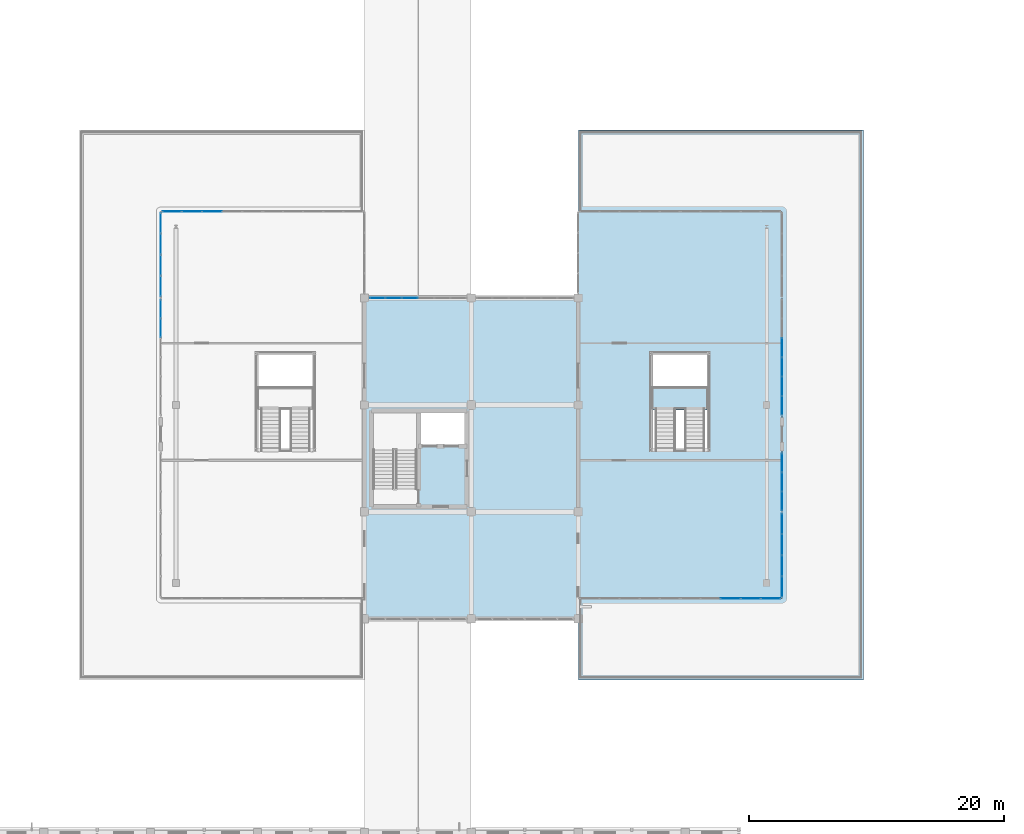
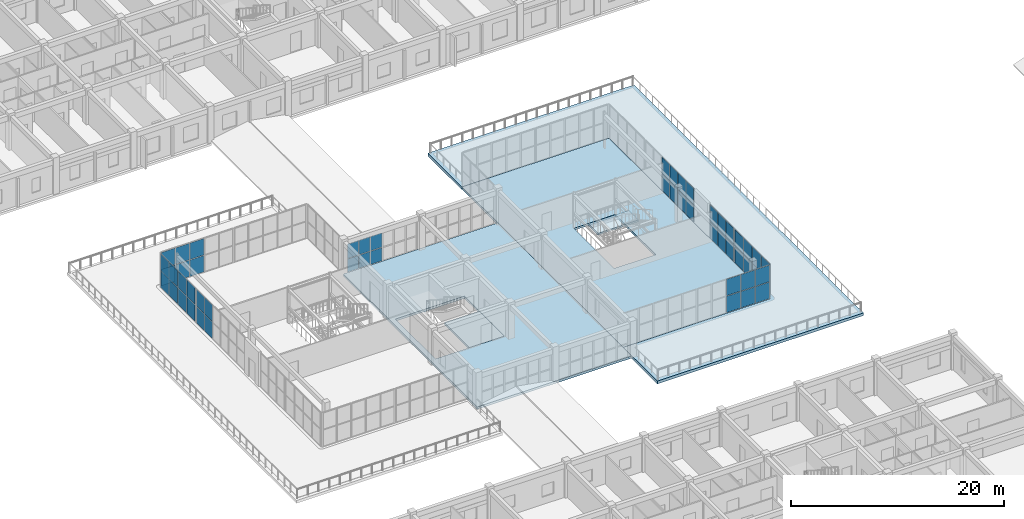
# One storey, part 55 of 90: 52 plates, 5 slabs, 9 elements without a shape of their own.
"""IFC4 building model written with IfcOpenShell, lengths in metres."""

from ifc_helpers import new_model, si_unit, direction, frame, origin, origin_2d, place, context, subcontext, project, spatial, polyline, rectangle, outline, extrude, material, layer, layer_set, type_object, element, aggregate, save


model = new_model("IFC4")

# Units and contexts
model_context = context("Model", 3, precision=1e-05, world=origin(), true_north=direction((0.0, 1.0)))
body_context = subcontext(model_context, "Body", "Model", "MODEL_VIEW")
ifc_project = project(units=[si_unit("LENGTHUNIT", "METRE"), si_unit("AREAUNIT", "SQUARE_METRE"), si_unit("VOLUMEUNIT", "CUBIC_METRE"), si_unit("PLANEANGLEUNIT", "RADIAN"), si_unit("MASSUNIT", "GRAM", prefix="KILO")], contexts=[model_context])

# Site, building, storey
site_placement = place(None, origin())
site = spatial("IfcSite", under=ifc_project, at=site_placement, CompositionType="ELEMENT")
building_placement = place(site_placement, origin())
building = spatial("IfcBuilding", under=site, at=building_placement, Name="Trelvath General Hospital", CompositionType="ELEMENT")
storey_placement = place(building_placement, frame((0.0, 0.0, 20.39990234375)))
storey = spatial("IfcBuildingStorey", under=building, at=storey_placement, Name="L05", CompositionType="ELEMENT", Elevation=20.39990234375)

# Curtain wall, plates
ifc_material_1 = material(Name="Anodised aluminium and low-E glass", Category="aluminium")
ifc_layer_1 = layer(ifc_material_1, 0.14990234375)
ifc_layer_set_1 = layer_set([ifc_layer_1], Name="Anodised aluminium and low-E glass")
curtain_wall_type_1 = type_object("IfcCurtainWallType", Name="CW CrystalCube 790 396 15", PredefinedType="USERDEFINED", material=ifc_layer_set_1)
curtain_wall_1_placement = place(storey_placement, origin())
curtain_wall_1 = element("IfcCurtainWall", 1, at=curtain_wall_1_placement, inside=storey, type_object=curtain_wall_type_1, Name="Crystal Cube Curtain Wall CUBE-W-T2 N1 L05", ObjectType="Unitised Glazed Curtain Wall", PredefinedType="USERDEFINED")
ifc_material_2 = material(Name="Low-E laminated glass", Category="glass")
ifc_layer_2 = layer(ifc_material_2, 0.028076171875)
ifc_layer_set_2 = layer_set([ifc_layer_2], Name="Low-E laminated glass")
plate_type_1 = type_object("IfcPlateType", Name="CurtainPanel Glass28", PredefinedType="CURTAIN_PANEL", material=ifc_layer_set_2)
plate_1_placement = place(storey_placement, frame((60.485107421875, 74.0, 0.06005859375), z_axis=(0.0, 0.0, 1.0), x_axis=(1.0, 0.0, 0.0)))
plate_1 = element("IfcPlate", 2, at=plate_1_placement, type_object=plate_type_1, Name="CW-308 panel 1.1", PredefinedType="CURTAIN_PANEL", context=body_context, shape_type="SweptSolid", body=[
    extrude(rectangle(XDim=1.489990234375, YDim=0.028076171875, at=origin_2d()), origin(), (0.0, 0.0, 1.0), 1.889892578125),
])
plate_2_placement = place(storey_placement, frame((60.485107421875, 74.0, 2.01025390625), z_axis=(0.0, 0.0, 1.0), x_axis=(1.0, 0.0, 0.0)))
plate_2 = element("IfcPlate", 3, at=plate_2_placement, type_object=plate_type_1, Name="CW-308 panel 1.2", PredefinedType="CURTAIN_PANEL", context=body_context, shape_type="SweptSolid", body=[
    extrude(rectangle(XDim=1.489990234375, YDim=0.028076171875, at=origin_2d()), origin(), (0.0, 0.0, 1.0), 1.889892578125),
])
plate_3_placement = place(storey_placement, frame((62.050048828125, 74.0, 0.06005859375), z_axis=(0.0, 0.0, 1.0), x_axis=(1.0, 0.0, 0.0)))
plate_3 = element("IfcPlate", 4, at=plate_3_placement, type_object=plate_type_1, Name="CW-308 panel 2.1", PredefinedType="CURTAIN_PANEL", context=body_context, shape_type="SweptSolid", body=[
    extrude(rectangle(XDim=1.52001953125, YDim=0.028076171875, at=origin_2d()), origin(), (0.0, 0.0, 1.0), 1.889892578125),
])
plate_4_placement = place(storey_placement, frame((62.050048828125, 74.0, 2.01025390625), z_axis=(0.0, 0.0, 1.0), x_axis=(1.0, 0.0, 0.0)))
plate_4 = element("IfcPlate", 5, at=plate_4_placement, type_object=plate_type_1, Name="CW-308 panel 2.2", PredefinedType="CURTAIN_PANEL", context=body_context, shape_type="SweptSolid", body=[
    extrude(rectangle(XDim=1.52001953125, YDim=0.028076171875, at=origin_2d()), origin(), (0.0, 0.0, 1.0), 1.889892578125),
])
plate_5_placement = place(storey_placement, frame((63.6298828125, 74.0, 0.06005859375), z_axis=(0.0, 0.0, 1.0), x_axis=(1.0, 0.0, 0.0)))
plate_5 = element("IfcPlate", 6, at=plate_5_placement, type_object=plate_type_1, Name="CW-308 panel 3.1", PredefinedType="CURTAIN_PANEL", context=body_context, shape_type="SweptSolid", body=[
    extrude(rectangle(XDim=1.52001953125, YDim=0.028076171875, at=origin_2d()), origin(), (0.0, 0.0, 1.0), 1.889892578125),
])
plate_6_placement = place(storey_placement, frame((63.6298828125, 74.0, 2.01025390625), z_axis=(0.0, 0.0, 1.0), x_axis=(1.0, 0.0, 0.0)))
plate_6 = element("IfcPlate", 7, at=plate_6_placement, type_object=plate_type_1, Name="CW-308 panel 3.2", PredefinedType="CURTAIN_PANEL", context=body_context, shape_type="SweptSolid", body=[
    extrude(rectangle(XDim=1.52001953125, YDim=0.028076171875, at=origin_2d()), origin(), (0.0, 0.0, 1.0), 1.889892578125),
])
aggregate(curtain_wall_1, [plate_1, plate_2, plate_3, plate_4, plate_5, plate_6])

ifc_material_3 = material(Name="Anodised aluminium and low-E glass", Category="aluminium")
ifc_layer_3 = layer(ifc_material_3, 0.14990234375)
ifc_layer_set_3 = layer_set([ifc_layer_3], Name="Anodised aluminium and low-E glass")
curtain_wall_type_2 = type_object("IfcCurtainWallType", Name="CW CrystalCube 914 396 15", PredefinedType="USERDEFINED", material=ifc_layer_set_3)
curtain_wall_2_placement = place(storey_placement, origin())
curtain_wall_2 = element("IfcCurtainWall", 8, at=curtain_wall_2_placement, inside=storey, type_object=curtain_wall_type_2, Name="Crystal Cube Curtain Wall CUBE-W-T2 W4 L05", ObjectType="Unitised Glazed Curtain Wall", PredefinedType="USERDEFINED")
plate_7_placement = place(storey_placement, frame((59.60009765625, 64.8349609375, 0.06005859375), z_axis=(0.0, 0.0, 1.0), x_axis=(0.0, 1.0, 0.0)))
plate_7 = element("IfcPlate", 9, at=plate_7_placement, type_object=plate_type_1, Name="CW-312 panel 5.1", PredefinedType="CURTAIN_PANEL", context=body_context, shape_type="SweptSolid", body=[
    extrude(rectangle(XDim=1.46337890625, YDim=0.028076171875, at=origin_2d()), origin(), (0.0, 0.0, 1.0), 1.889892578125),
])
plate_8_placement = place(storey_placement, frame((59.60009765625, 64.8349609375, 2.01025390625), z_axis=(0.0, 0.0, 1.0), x_axis=(0.0, 1.0, 0.0)))
plate_8 = element("IfcPlate", 10, at=plate_8_placement, type_object=plate_type_1, Name="CW-312 panel 5.2", PredefinedType="CURTAIN_PANEL", context=body_context, shape_type="SweptSolid", body=[
    extrude(rectangle(XDim=1.46337890625, YDim=0.028076171875, at=origin_2d()), origin(), (0.0, 0.0, 1.0), 1.889892578125),
])
plate_9_placement = place(storey_placement, frame((59.60009765625, 66.34326171875, 0.06005859375), z_axis=(0.0, 0.0, 1.0), x_axis=(0.0, 1.0, 0.0)))
plate_9 = element("IfcPlate", 11, at=plate_9_placement, type_object=plate_type_1, Name="CW-312 panel 6.1", PredefinedType="CURTAIN_PANEL", context=body_context, shape_type="SweptSolid", body=[
    extrude(rectangle(XDim=1.433349609375, YDim=0.028076171875, at=origin_2d()), origin(), (0.0, 0.0, 1.0), 1.889892578125),
])
plate_10_placement = place(storey_placement, frame((59.60009765625, 66.34326171875, 2.01025390625), z_axis=(0.0, 0.0, 1.0), x_axis=(0.0, 1.0, 0.0)))
plate_10 = element("IfcPlate", 12, at=plate_10_placement, type_object=plate_type_1, Name="CW-312 panel 6.2", PredefinedType="CURTAIN_PANEL", context=body_context, shape_type="SweptSolid", body=[
    extrude(rectangle(XDim=1.433349609375, YDim=0.028076171875, at=origin_2d()), origin(), (0.0, 0.0, 1.0), 1.889892578125),
])
aggregate(curtain_wall_2, [plate_7, plate_8, plate_9, plate_10])

ifc_material_4 = material(Name="Anodised aluminium and low-E glass", Category="aluminium")
ifc_layer_4 = layer(ifc_material_4, 0.14990234375)
ifc_layer_set_4 = layer_set([ifc_layer_4], Name="Anodised aluminium and low-E glass")
curtain_wall_type_3 = type_object("IfcCurtainWallType", Name="CW CrystalCube 664 396 15", PredefinedType="USERDEFINED", material=ifc_layer_set_4)
curtain_wall_3_placement = place(storey_placement, origin())
curtain_wall_3 = element("IfcCurtainWall", 13, at=curtain_wall_3_placement, inside=storey, type_object=curtain_wall_type_3, Name="Crystal Cube Curtain Wall CUBE-W-T2 W5 L05", ObjectType="Unitised Glazed Curtain Wall", PredefinedType="USERDEFINED")
plate_11_placement = place(storey_placement, frame((59.60009765625, 68.125, 0.06005859375), z_axis=(0.0, 0.0, 1.0), x_axis=(0.0, 1.0, 0.0)))
plate_11 = element("IfcPlate", 14, at=plate_11_placement, type_object=plate_type_1, Name="CW-313 panel 1.1", PredefinedType="CURTAIN_PANEL", context=body_context, shape_type="SweptSolid", body=[
    extrude(rectangle(XDim=1.570068359375, YDim=0.028076171875, at=origin_2d()), origin(), (0.0, 0.0, 1.0), 1.889892578125),
])
plate_12_placement = place(storey_placement, frame((59.60009765625, 68.125, 2.01025390625), z_axis=(0.0, 0.0, 1.0), x_axis=(0.0, 1.0, 0.0)))
plate_12 = element("IfcPlate", 15, at=plate_12_placement, type_object=plate_type_1, Name="CW-313 panel 1.2", PredefinedType="CURTAIN_PANEL", context=body_context, shape_type="SweptSolid", body=[
    extrude(rectangle(XDim=1.570068359375, YDim=0.028076171875, at=origin_2d()), origin(), (0.0, 0.0, 1.0), 1.889892578125),
])
plate_13_placement = place(storey_placement, frame((59.60009765625, 69.77001953125, 0.06005859375), z_axis=(0.0, 0.0, 1.0), x_axis=(0.0, 1.0, 0.0)))
plate_13 = element("IfcPlate", 16, at=plate_13_placement, type_object=plate_type_1, Name="CW-313 panel 2.1", PredefinedType="CURTAIN_PANEL", context=body_context, shape_type="SweptSolid", body=[
    extrude(rectangle(XDim=1.60009765625, YDim=0.028076171875, at=origin_2d()), origin(), (0.0, 0.0, 1.0), 1.889892578125),
])
plate_14_placement = place(storey_placement, frame((59.60009765625, 69.77001953125, 2.01025390625), z_axis=(0.0, 0.0, 1.0), x_axis=(0.0, 1.0, 0.0)))
plate_14 = element("IfcPlate", 17, at=plate_14_placement, type_object=plate_type_1, Name="CW-313 panel 2.2", PredefinedType="CURTAIN_PANEL", context=body_context, shape_type="SweptSolid", body=[
    extrude(rectangle(XDim=1.60009765625, YDim=0.028076171875, at=origin_2d()), origin(), (0.0, 0.0, 1.0), 1.889892578125),
])
plate_15_placement = place(storey_placement, frame((59.60009765625, 71.429931640625, 0.06005859375), z_axis=(0.0, 0.0, 1.0), x_axis=(0.0, 1.0, 0.0)))
plate_15 = element("IfcPlate", 18, at=plate_15_placement, type_object=plate_type_1, Name="CW-313 panel 3.1", PredefinedType="CURTAIN_PANEL", context=body_context, shape_type="SweptSolid", body=[
    extrude(rectangle(XDim=1.60009765625, YDim=0.028076171875, at=origin_2d()), origin(), (0.0, 0.0, 1.0), 1.889892578125),
])
plate_16_placement = place(storey_placement, frame((59.60009765625, 71.429931640625, 2.01025390625), z_axis=(0.0, 0.0, 1.0), x_axis=(0.0, 1.0, 0.0)))
plate_16 = element("IfcPlate", 19, at=plate_16_placement, type_object=plate_type_1, Name="CW-313 panel 3.2", PredefinedType="CURTAIN_PANEL", context=body_context, shape_type="SweptSolid", body=[
    extrude(rectangle(XDim=1.60009765625, YDim=0.028076171875, at=origin_2d()), origin(), (0.0, 0.0, 1.0), 1.889892578125),
])
plate_17_placement = place(storey_placement, frame((59.60009765625, 73.074951171875, 0.06005859375), z_axis=(0.0, 0.0, 1.0), x_axis=(0.0, 1.0, 0.0)))
plate_17 = element("IfcPlate", 20, at=plate_17_placement, type_object=plate_type_1, Name="CW-313 panel 4.1", PredefinedType="CURTAIN_PANEL", context=body_context, shape_type="SweptSolid", body=[
    extrude(rectangle(XDim=1.570068359375, YDim=0.028076171875, at=origin_2d()), origin(), (0.0, 0.0, 1.0), 1.889892578125),
])
plate_18_placement = place(storey_placement, frame((59.60009765625, 73.074951171875, 2.01025390625), z_axis=(0.0, 0.0, 1.0), x_axis=(0.0, 1.0, 0.0)))
plate_18 = element("IfcPlate", 21, at=plate_18_placement, type_object=plate_type_1, Name="CW-313 panel 4.2", PredefinedType="CURTAIN_PANEL", context=body_context, shape_type="SweptSolid", body=[
    extrude(rectangle(XDim=1.570068359375, YDim=0.028076171875, at=origin_2d()), origin(), (0.0, 0.0, 1.0), 1.889892578125),
])
aggregate(curtain_wall_3, [plate_11, plate_12, plate_13, plate_14, plate_15, plate_16, plate_17, plate_18])

curtain_wall_4_placement = place(storey_placement, origin())
curtain_wall_4 = element("IfcCurtainWall", 22, at=curtain_wall_4_placement, inside=storey, type_object=curtain_wall_type_1, Name="Crystal Cube Curtain Wall CUBE-E-T2 S2 L05", ObjectType="Unitised Glazed Curtain Wall", PredefinedType="USERDEFINED")
plate_19_placement = place(storey_placement, frame((107.514892578125, 43.60009765625, 0.06005859375), z_axis=(0.0, 0.0, 1.0), x_axis=(-1.0, 0.0, 0.0)))
plate_19 = element("IfcPlate", 23, at=plate_19_placement, type_object=plate_type_1, Name="CW-316 panel 1.1", PredefinedType="CURTAIN_PANEL", context=body_context, shape_type="SweptSolid", body=[
    extrude(rectangle(XDim=1.489990234375, YDim=0.028076171875, at=origin_2d()), origin(), (0.0, 0.0, 1.0), 1.889892578125),
])
plate_20_placement = place(storey_placement, frame((107.514892578125, 43.60009765625, 2.01025390625), z_axis=(0.0, 0.0, 1.0), x_axis=(-1.0, 0.0, 0.0)))
plate_20 = element("IfcPlate", 24, at=plate_20_placement, type_object=plate_type_1, Name="CW-316 panel 1.2", PredefinedType="CURTAIN_PANEL", context=body_context, shape_type="SweptSolid", body=[
    extrude(rectangle(XDim=1.489990234375, YDim=0.028076171875, at=origin_2d()), origin(), (0.0, 0.0, 1.0), 1.889892578125),
])
plate_21_placement = place(storey_placement, frame((105.949951171875, 43.60009765625, 0.06005859375), z_axis=(0.0, 0.0, 1.0), x_axis=(-1.0, 0.0, 0.0)))
plate_21 = element("IfcPlate", 25, at=plate_21_placement, type_object=plate_type_1, Name="CW-316 panel 2.1", PredefinedType="CURTAIN_PANEL", context=body_context, shape_type="SweptSolid", body=[
    extrude(rectangle(XDim=1.52001953125, YDim=0.028076171875, at=origin_2d()), origin(), (0.0, 0.0, 1.0), 1.889892578125),
])
plate_22_placement = place(storey_placement, frame((105.949951171875, 43.60009765625, 2.01025390625), z_axis=(0.0, 0.0, 1.0), x_axis=(-1.0, 0.0, 0.0)))
plate_22 = element("IfcPlate", 26, at=plate_22_placement, type_object=plate_type_1, Name="CW-316 panel 2.2", PredefinedType="CURTAIN_PANEL", context=body_context, shape_type="SweptSolid", body=[
    extrude(rectangle(XDim=1.52001953125, YDim=0.028076171875, at=origin_2d()), origin(), (0.0, 0.0, 1.0), 1.889892578125),
])
plate_23_placement = place(storey_placement, frame((104.3701171875, 43.60009765625, 0.06005859375), z_axis=(0.0, 0.0, 1.0), x_axis=(-1.0, 0.0, 0.0)))
plate_23 = element("IfcPlate", 27, at=plate_23_placement, type_object=plate_type_1, Name="CW-316 panel 3.1", PredefinedType="CURTAIN_PANEL", context=body_context, shape_type="SweptSolid", body=[
    extrude(rectangle(XDim=1.52001953125, YDim=0.028076171875, at=origin_2d()), origin(), (0.0, 0.0, 1.0), 1.889892578125),
])
plate_24_placement = place(storey_placement, frame((104.3701171875, 43.60009765625, 2.01025390625), z_axis=(0.0, 0.0, 1.0), x_axis=(-1.0, 0.0, 0.0)))
plate_24 = element("IfcPlate", 28, at=plate_24_placement, type_object=plate_type_1, Name="CW-316 panel 3.2", PredefinedType="CURTAIN_PANEL", context=body_context, shape_type="SweptSolid", body=[
    extrude(rectangle(XDim=1.52001953125, YDim=0.028076171875, at=origin_2d()), origin(), (0.0, 0.0, 1.0), 1.889892578125),
])
aggregate(curtain_wall_4, [plate_19, plate_20, plate_21, plate_22, plate_23, plate_24])

curtain_wall_5_placement = place(storey_placement, origin())
curtain_wall_5 = element("IfcCurtainWall", 29, at=curtain_wall_5_placement, inside=storey, type_object=curtain_wall_type_3, Name="Crystal Cube Curtain Wall CUBE-E-T2 E1 L05", ObjectType="Unitised Glazed Curtain Wall", PredefinedType="USERDEFINED")
plate_25_placement = place(storey_placement, frame((108.39990234375, 49.47509765625, 0.06005859375), z_axis=(0.0, 0.0, 1.0), x_axis=(0.0, -1.0, 0.0)))
plate_25 = element("IfcPlate", 30, at=plate_25_placement, type_object=plate_type_1, Name="CW-319 panel 1.1", PredefinedType="CURTAIN_PANEL", context=body_context, shape_type="SweptSolid", body=[
    extrude(rectangle(XDim=1.570068359375, YDim=0.028076171875, at=origin_2d()), origin(), (0.0, 0.0, 1.0), 1.889892578125),
])
plate_26_placement = place(storey_placement, frame((108.39990234375, 49.47509765625, 2.01025390625), z_axis=(0.0, 0.0, 1.0), x_axis=(0.0, -1.0, 0.0)))
plate_26 = element("IfcPlate", 31, at=plate_26_placement, type_object=plate_type_1, Name="CW-319 panel 1.2", PredefinedType="CURTAIN_PANEL", context=body_context, shape_type="SweptSolid", body=[
    extrude(rectangle(XDim=1.570068359375, YDim=0.028076171875, at=origin_2d()), origin(), (0.0, 0.0, 1.0), 1.889892578125),
])
plate_27_placement = place(storey_placement, frame((108.39990234375, 47.830078125, 0.06005859375), z_axis=(0.0, 0.0, 1.0), x_axis=(0.0, -1.0, 0.0)))
plate_27 = element("IfcPlate", 32, at=plate_27_placement, type_object=plate_type_1, Name="CW-319 panel 2.1", PredefinedType="CURTAIN_PANEL", context=body_context, shape_type="SweptSolid", body=[
    extrude(rectangle(XDim=1.60009765625, YDim=0.028076171875, at=origin_2d()), origin(), (0.0, 0.0, 1.0), 1.889892578125),
])
plate_28_placement = place(storey_placement, frame((108.39990234375, 47.830078125, 2.01025390625), z_axis=(0.0, 0.0, 1.0), x_axis=(0.0, -1.0, 0.0)))
plate_28 = element("IfcPlate", 33, at=plate_28_placement, type_object=plate_type_1, Name="CW-319 panel 2.2", PredefinedType="CURTAIN_PANEL", context=body_context, shape_type="SweptSolid", body=[
    extrude(rectangle(XDim=1.60009765625, YDim=0.028076171875, at=origin_2d()), origin(), (0.0, 0.0, 1.0), 1.889892578125),
])
plate_29_placement = place(storey_placement, frame((108.39990234375, 46.169921875, 0.06005859375), z_axis=(0.0, 0.0, 1.0), x_axis=(0.0, -1.0, 0.0)))
plate_29 = element("IfcPlate", 34, at=plate_29_placement, type_object=plate_type_1, Name="CW-319 panel 3.1", PredefinedType="CURTAIN_PANEL", context=body_context, shape_type="SweptSolid", body=[
    extrude(rectangle(XDim=1.60009765625, YDim=0.028076171875, at=origin_2d()), origin(), (0.0, 0.0, 1.0), 1.889892578125),
])
plate_30_placement = place(storey_placement, frame((108.39990234375, 46.169921875, 2.01025390625), z_axis=(0.0, 0.0, 1.0), x_axis=(0.0, -1.0, 0.0)))
plate_30 = element("IfcPlate", 35, at=plate_30_placement, type_object=plate_type_1, Name="CW-319 panel 3.2", PredefinedType="CURTAIN_PANEL", context=body_context, shape_type="SweptSolid", body=[
    extrude(rectangle(XDim=1.60009765625, YDim=0.028076171875, at=origin_2d()), origin(), (0.0, 0.0, 1.0), 1.889892578125),
])
plate_31_placement = place(storey_placement, frame((108.39990234375, 44.52490234375, 0.06005859375), z_axis=(0.0, 0.0, 1.0), x_axis=(0.0, -1.0, 0.0)))
plate_31 = element("IfcPlate", 36, at=plate_31_placement, type_object=plate_type_1, Name="CW-319 panel 4.1", PredefinedType="CURTAIN_PANEL", context=body_context, shape_type="SweptSolid", body=[
    extrude(rectangle(XDim=1.570068359375, YDim=0.028076171875, at=origin_2d()), origin(), (0.0, 0.0, 1.0), 1.889892578125),
])
plate_32_placement = place(storey_placement, frame((108.39990234375, 44.52490234375, 2.01025390625), z_axis=(0.0, 0.0, 1.0), x_axis=(0.0, -1.0, 0.0)))
plate_32 = element("IfcPlate", 37, at=plate_32_placement, type_object=plate_type_1, Name="CW-319 panel 4.2", PredefinedType="CURTAIN_PANEL", context=body_context, shape_type="SweptSolid", body=[
    extrude(rectangle(XDim=1.570068359375, YDim=0.028076171875, at=origin_2d()), origin(), (0.0, 0.0, 1.0), 1.889892578125),
])
aggregate(curtain_wall_5, [plate_25, plate_26, plate_27, plate_28, plate_29, plate_30, plate_31, plate_32])

ifc_material_5 = material(Name="Anodised aluminium and low-E glass", Category="aluminium")
ifc_layer_5 = layer(ifc_material_5, 0.14990234375)
ifc_layer_set_5 = layer_set([ifc_layer_5], Name="Anodised aluminium and low-E glass")
curtain_wall_type_4 = type_object("IfcCurtainWallType", Name="CW CrystalCube 454 396 15", PredefinedType="USERDEFINED", material=ifc_layer_set_5)
curtain_wall_6_placement = place(storey_placement, origin())
curtain_wall_6 = element("IfcCurtainWall", 38, at=curtain_wall_6_placement, inside=storey, type_object=curtain_wall_type_4, Name="Crystal Cube Curtain Wall CUBE-E-T2 E2 L05", ObjectType="Unitised Glazed Curtain Wall", PredefinedType="USERDEFINED")
plate_33_placement = place(storey_placement, frame((108.39990234375, 54.248291015625, 0.06005859375), z_axis=(0.0, 0.0, 1.0), x_axis=(0.0, -1.0, 0.0)))
plate_33 = element("IfcPlate", 39, at=plate_33_placement, type_object=plate_type_1, Name="CW-320 panel 1.1", PredefinedType="CURTAIN_PANEL", context=body_context, shape_type="SweptSolid", body=[
    extrude(rectangle(XDim=1.42333984375, YDim=0.028076171875, at=origin_2d()), origin(), (0.0, 0.0, 1.0), 1.889892578125),
])
plate_34_placement = place(storey_placement, frame((108.39990234375, 54.248291015625, 2.01025390625), z_axis=(0.0, 0.0, 1.0), x_axis=(0.0, -1.0, 0.0)))
plate_34 = element("IfcPlate", 40, at=plate_34_placement, type_object=plate_type_1, Name="CW-320 panel 1.2", PredefinedType="CURTAIN_PANEL", context=body_context, shape_type="SweptSolid", body=[
    extrude(rectangle(XDim=1.42333984375, YDim=0.028076171875, at=origin_2d()), origin(), (0.0, 0.0, 1.0), 1.889892578125),
])
plate_35_placement = place(storey_placement, frame((108.39990234375, 52.75, 0.06005859375), z_axis=(0.0, 0.0, 1.0), x_axis=(0.0, -1.0, 0.0)))
plate_35 = element("IfcPlate", 41, at=plate_35_placement, type_object=plate_type_1, Name="CW-320 panel 2.1", PredefinedType="CURTAIN_PANEL", context=body_context, shape_type="SweptSolid", body=[
    extrude(rectangle(XDim=1.453369140625, YDim=0.028076171875, at=origin_2d()), origin(), (0.0, 0.0, 1.0), 1.889892578125),
])
plate_36_placement = place(storey_placement, frame((108.39990234375, 52.75, 2.01025390625), z_axis=(0.0, 0.0, 1.0), x_axis=(0.0, -1.0, 0.0)))
plate_36 = element("IfcPlate", 42, at=plate_36_placement, type_object=plate_type_1, Name="CW-320 panel 2.2", PredefinedType="CURTAIN_PANEL", context=body_context, shape_type="SweptSolid", body=[
    extrude(rectangle(XDim=1.453369140625, YDim=0.028076171875, at=origin_2d()), origin(), (0.0, 0.0, 1.0), 1.889892578125),
])
plate_37_placement = place(storey_placement, frame((108.39990234375, 51.251708984375, 0.06005859375), z_axis=(0.0, 0.0, 1.0), x_axis=(0.0, -1.0, 0.0)))
plate_37 = element("IfcPlate", 43, at=plate_37_placement, type_object=plate_type_1, Name="CW-320 panel 3.1", PredefinedType="CURTAIN_PANEL", context=body_context, shape_type="SweptSolid", body=[
    extrude(rectangle(XDim=1.42333984375, YDim=0.028076171875, at=origin_2d()), origin(), (0.0, 0.0, 1.0), 1.889892578125),
])
plate_38_placement = place(storey_placement, frame((108.39990234375, 51.251708984375, 2.01025390625), z_axis=(0.0, 0.0, 1.0), x_axis=(0.0, -1.0, 0.0)))
plate_38 = element("IfcPlate", 44, at=plate_38_placement, type_object=plate_type_1, Name="CW-320 panel 3.2", PredefinedType="CURTAIN_PANEL", context=body_context, shape_type="SweptSolid", body=[
    extrude(rectangle(XDim=1.42333984375, YDim=0.028076171875, at=origin_2d()), origin(), (0.0, 0.0, 1.0), 1.889892578125),
])
aggregate(curtain_wall_6, [plate_33, plate_34, plate_35, plate_36, plate_37, plate_38])

curtain_wall_7_placement = place(storey_placement, origin())
curtain_wall_7 = element("IfcCurtainWall", 45, at=curtain_wall_7_placement, inside=storey, type_object=curtain_wall_type_2, Name="Crystal Cube Curtain Wall CUBE-E-T2 E4 L05", ObjectType="Unitised Glazed Curtain Wall", PredefinedType="USERDEFINED")
plate_39_placement = place(storey_placement, frame((108.39990234375, 63.311767578125, 0.06005859375), z_axis=(0.0, 0.0, 1.0), x_axis=(0.0, -1.0, 0.0)))
plate_39 = element("IfcPlate", 46, at=plate_39_placement, type_object=plate_type_1, Name="CW-321 panel 3.1", PredefinedType="CURTAIN_PANEL", context=body_context, shape_type="SweptSolid", body=[
    extrude(rectangle(XDim=1.46337890625, YDim=0.028076171875, at=origin_2d()), origin(), (0.0, 0.0, 1.0), 1.889892578125),
])
plate_40_placement = place(storey_placement, frame((108.39990234375, 63.311767578125, 2.01025390625), z_axis=(0.0, 0.0, 1.0), x_axis=(0.0, -1.0, 0.0)))
plate_40 = element("IfcPlate", 47, at=plate_40_placement, type_object=plate_type_1, Name="CW-321 panel 3.2", PredefinedType="CURTAIN_PANEL", context=body_context, shape_type="SweptSolid", body=[
    extrude(rectangle(XDim=1.46337890625, YDim=0.028076171875, at=origin_2d()), origin(), (0.0, 0.0, 1.0), 1.889892578125),
])
plate_41_placement = place(storey_placement, frame((108.39990234375, 61.788330078125, 0.06005859375), z_axis=(0.0, 0.0, 1.0), x_axis=(0.0, -1.0, 0.0)))
plate_41 = element("IfcPlate", 48, at=plate_41_placement, type_object=plate_type_1, Name="CW-321 panel 4.1", PredefinedType="CURTAIN_PANEL", context=body_context, shape_type="SweptSolid", body=[
    extrude(rectangle(XDim=1.46337890625, YDim=0.028076171875, at=origin_2d()), origin(), (0.0, 0.0, 1.0), 1.889892578125),
])
plate_42_placement = place(storey_placement, frame((108.39990234375, 61.788330078125, 2.01025390625), z_axis=(0.0, 0.0, 1.0), x_axis=(0.0, -1.0, 0.0)))
plate_42 = element("IfcPlate", 49, at=plate_42_placement, type_object=plate_type_1, Name="CW-321 panel 4.2", PredefinedType="CURTAIN_PANEL", context=body_context, shape_type="SweptSolid", body=[
    extrude(rectangle(XDim=1.46337890625, YDim=0.028076171875, at=origin_2d()), origin(), (0.0, 0.0, 1.0), 1.889892578125),
])
plate_43_placement = place(storey_placement, frame((108.39990234375, 60.264892578125, 0.06005859375), z_axis=(0.0, 0.0, 1.0), x_axis=(0.0, -1.0, 0.0)))
plate_43 = element("IfcPlate", 50, at=plate_43_placement, type_object=plate_type_1, Name="CW-321 panel 5.1", PredefinedType="CURTAIN_PANEL", context=body_context, shape_type="SweptSolid", body=[
    extrude(rectangle(XDim=1.46337890625, YDim=0.028076171875, at=origin_2d()), origin(), (0.0, 0.0, 1.0), 1.889892578125),
])
plate_44_placement = place(storey_placement, frame((108.39990234375, 60.264892578125, 2.01025390625), z_axis=(0.0, 0.0, 1.0), x_axis=(0.0, -1.0, 0.0)))
plate_44 = element("IfcPlate", 51, at=plate_44_placement, type_object=plate_type_1, Name="CW-321 panel 5.2", PredefinedType="CURTAIN_PANEL", context=body_context, shape_type="SweptSolid", body=[
    extrude(rectangle(XDim=1.46337890625, YDim=0.028076171875, at=origin_2d()), origin(), (0.0, 0.0, 1.0), 1.889892578125),
])
plate_45_placement = place(storey_placement, frame((108.39990234375, 58.756591796875, 0.06005859375), z_axis=(0.0, 0.0, 1.0), x_axis=(0.0, -1.0, 0.0)))
plate_45 = element("IfcPlate", 52, at=plate_45_placement, type_object=plate_type_1, Name="CW-321 panel 6.1", PredefinedType="CURTAIN_PANEL", context=body_context, shape_type="SweptSolid", body=[
    extrude(rectangle(XDim=1.433349609375, YDim=0.028076171875, at=origin_2d()), origin(), (0.0, 0.0, 1.0), 1.889892578125),
])
plate_46_placement = place(storey_placement, frame((108.39990234375, 58.756591796875, 2.01025390625), z_axis=(0.0, 0.0, 1.0), x_axis=(0.0, -1.0, 0.0)))
plate_46 = element("IfcPlate", 53, at=plate_46_placement, type_object=plate_type_1, Name="CW-321 panel 6.2", PredefinedType="CURTAIN_PANEL", context=body_context, shape_type="SweptSolid", body=[
    extrude(rectangle(XDim=1.433349609375, YDim=0.028076171875, at=origin_2d()), origin(), (0.0, 0.0, 1.0), 1.889892578125),
])
aggregate(curtain_wall_7, [plate_39, plate_40, plate_41, plate_42, plate_43, plate_44, plate_45, plate_46])

ifc_material_6 = material(Name="Anodised aluminium and low-E glass", Category="aluminium")
ifc_layer_6 = layer(ifc_material_6, 0.14990234375)
ifc_layer_set_6 = layer_set([ifc_layer_6], Name="Anodised aluminium and low-E glass")
curtain_wall_type_5 = type_object("IfcCurtainWallType", Name="CW Facade 764 334 15", PredefinedType="USERDEFINED", material=ifc_layer_set_6)
curtain_wall_8_placement = place(storey_placement, origin())
curtain_wall_8 = element("IfcCurtainWall", 54, at=curtain_wall_8_placement, inside=storey, type_object=curtain_wall_type_5, Name="Facade Curtain Wall CW-071", ObjectType="Unitised Glazed Curtain Wall", PredefinedType="USERDEFINED")
ifc_material_7 = material(Name="Low-E laminated glass", Category="glass")
ifc_layer_7 = layer(ifc_material_7, 0.035888671875)
ifc_layer_set_7 = layer_set([ifc_layer_7], Name="Low-E laminated glass")
plate_type_2 = type_object("IfcPlateType", Name="CurtainPanel Glass36", PredefinedType="CURTAIN_PANEL", material=ifc_layer_set_7)
plate_47_placement = place(storey_placement, frame((76.631591796875, 67.199951171875, 0.06005859375), z_axis=(0.0, 0.0, 1.0), x_axis=(1.0, 0.0, 0.0)))
plate_47 = element("IfcPlate", 55, at=plate_47_placement, type_object=plate_type_2, Name="CW-071 panel 1.1", PredefinedType="CURTAIN_PANEL", context=body_context, shape_type="SweptSolid", body=[
    extrude(rectangle(XDim=1.183349609375, YDim=0.035888671875, at=origin_2d()), origin(), (0.0, 0.0, 1.0), 1.512939453125),
])
plate_48_placement = place(storey_placement, frame((76.631591796875, 67.199951171875, 1.633056640625), z_axis=(0.0, 0.0, 1.0), x_axis=(1.0, 0.0, 0.0)))
plate_48 = element("IfcPlate", 56, at=plate_48_placement, type_object=plate_type_2, Name="CW-071 panel 1.2", PredefinedType="CURTAIN_PANEL", context=body_context, shape_type="SweptSolid", body=[
    extrude(rectangle(XDim=1.183349609375, YDim=0.035888671875, at=origin_2d()), origin(), (0.0, 0.0, 1.0), 1.64697265625),
])
plate_49_placement = place(storey_placement, frame((77.889892578125, 67.199951171875, 0.06005859375), z_axis=(0.0, 0.0, 1.0), x_axis=(1.0, 0.0, 0.0)))
plate_49 = element("IfcPlate", 57, at=plate_49_placement, type_object=plate_type_2, Name="CW-071 panel 2.1", PredefinedType="CURTAIN_PANEL", context=body_context, shape_type="SweptSolid", body=[
    extrude(rectangle(XDim=1.21337890625, YDim=0.035888671875, at=origin_2d()), origin(), (0.0, 0.0, 1.0), 1.512939453125),
])
plate_50_placement = place(storey_placement, frame((77.889892578125, 67.199951171875, 1.633056640625), z_axis=(0.0, 0.0, 1.0), x_axis=(1.0, 0.0, 0.0)))
plate_50 = element("IfcPlate", 58, at=plate_50_placement, type_object=plate_type_2, Name="CW-071 panel 2.2", PredefinedType="CURTAIN_PANEL", context=body_context, shape_type="SweptSolid", body=[
    extrude(rectangle(XDim=1.21337890625, YDim=0.035888671875, at=origin_2d()), origin(), (0.0, 0.0, 1.0), 1.64697265625),
])
plate_51_placement = place(storey_placement, frame((79.163330078125, 67.199951171875, 0.06005859375), z_axis=(0.0, 0.0, 1.0), x_axis=(1.0, 0.0, 0.0)))
plate_51 = element("IfcPlate", 59, at=plate_51_placement, type_object=plate_type_2, Name="CW-071 panel 3.1", PredefinedType="CURTAIN_PANEL", context=body_context, shape_type="SweptSolid", body=[
    extrude(rectangle(XDim=1.21337890625, YDim=0.035888671875, at=origin_2d()), origin(), (0.0, 0.0, 1.0), 1.512939453125),
])
plate_52_placement = place(storey_placement, frame((79.163330078125, 67.199951171875, 1.633056640625), z_axis=(0.0, 0.0, 1.0), x_axis=(1.0, 0.0, 0.0)))
plate_52 = element("IfcPlate", 60, at=plate_52_placement, type_object=plate_type_2, Name="CW-071 panel 3.2", PredefinedType="CURTAIN_PANEL", context=body_context, shape_type="SweptSolid", body=[
    extrude(rectangle(XDim=1.21337890625, YDim=0.035888671875, at=origin_2d()), origin(), (0.0, 0.0, 1.0), 1.64697265625),
])
aggregate(curtain_wall_8, [plate_47, plate_48, plate_49, plate_50, plate_51, plate_52])

# Slabs
ifc_material_8 = material(Name="Concrete C35/45", Category="concrete")
ifc_layer_8 = layer(ifc_material_8, 0.239990234375)
ifc_layer_set_8 = layer_set([ifc_layer_8], Name="Concrete C35/45")
slab_type_1 = type_object("IfcSlabType", Name="FlatSlab Cube240", PredefinedType="FLOOR", material=ifc_layer_set_8)
slab_1_placement = place(storey_placement, frame((0.0, 0.0, -0.239990234375)))
element("IfcSlab", 61, at=slab_1_placement, inside=storey, type_object=slab_type_1, Name="Crystal Cube Slab CUBE-E-T2 L05", PredefinedType="FLOOR", context=body_context, shape_type="SweptSolid", body=[
    extrude(outline(polyline([(92.39990234375, 43.60009765625), (108.39990234375, 43.60009765625), (108.39990234375, 74.0), (92.39990234375, 74.0), (92.39990234375, 43.60009765625)]), holes=[polyline([(98.14990234375, 55.25), (102.64990234375, 55.25), (102.64990234375, 62.85009765625), (98.14990234375, 62.85009765625), (98.14990234375, 55.25)])]), origin(), (0.0, 0.0, 1.0), 0.239990234375),
])
ifc_material_9 = material(Name="Concrete C35/45", Category="concrete")
ifc_layer_9 = layer(ifc_material_9, 0.260009765625)
ifc_layer_set_9 = layer_set([ifc_layer_9], Name="Concrete C35/45")
slab_type_2 = type_object("IfcSlabType", Name="FlatSlab Ward260", PredefinedType="FLOOR", material=ifc_layer_set_9)
slab_2_placement = place(storey_placement, frame((0.0, 0.0, -0.260009765625)))
element("IfcSlab", 62, at=slab_2_placement, inside=storey, type_object=slab_type_2, Name="Floor Slab SL-L05-V7-C1", PredefinedType="FLOOR", context=body_context, shape_type="SweptSolid", body=[
    extrude(outline(polyline([(75.60009765625, 42.0), (75.60009765625, 67.199951171875), (92.39990234375, 67.199951171875), (92.39990234375, 42.0), (75.60009765625, 42.0)]), holes=[polyline([(76.14990234375, 50.800048828125), (83.64990234375, 50.800048828125), (83.64990234375, 58.35009765625), (76.14990234375, 58.35009765625), (76.14990234375, 50.800048828125)])]), origin(), (0.0, 0.0, 1.0), 0.260009765625),
])
slab_3_placement = place(storey_placement, frame((0.0, 0.0, -0.260009765625)))
element("IfcSlab", 63, at=slab_3_placement, inside=storey, type_object=slab_type_2, Name="Core Lobby Slab C6 L05", PredefinedType="FLOOR", context=body_context, shape_type="SweptSolid", body=[
    extrude(outline(polyline([(79.85009765625, 50.800048828125), (83.64990234375, 50.800048828125), (83.64990234375, 55.550048828125), (79.85009765625, 55.550048828125), (79.85009765625, 50.800048828125)])), origin(), (0.0, 0.0, 1.0), 0.260009765625),
])
ifc_material_10 = material(Name="Concrete C35/45", Category="concrete")
ifc_layer_10 = layer(ifc_material_10, 0.320068359375)
ifc_layer_set_10 = layer_set([ifc_layer_10], Name="Concrete C35/45")
slab_type_3 = type_object("IfcSlabType", Name="PlantedTerraceSlab 320", PredefinedType="ROOF", material=ifc_layer_set_10)
slab_4_placement = place(storey_placement, frame((0.0, 0.0, -0.31982421875)))
element("IfcSlab", 64, at=slab_4_placement, inside=storey, type_object=slab_type_3, Name="Crystal Cube Planted Terrace TERR-CE-U5 L05", PredefinedType="ROOF", context=body_context, shape_type="SweptSolid", body=[
    extrude(outline(polyline([(92.39990234375, 37.199951171875), (114.800048828125, 37.199951171875), (114.800048828125, 80.39990234375), (92.39990234375, 80.39990234375), (92.39990234375, 74.0), (108.39990234375, 74.0), (108.39990234375, 43.60009765625), (92.39990234375, 43.60009765625), (92.39990234375, 37.199951171875)])), origin(), (0.0, 0.0, 1.0), 0.31982421875),
])

# Stair, slab
ifc_material_11 = material(Name="Concrete C35/45", Category="concrete")
stair_type = type_object("IfcStairType", Name="Stair PublicCube420", PredefinedType="TWO_STRAIGHT_RUN_STAIR", material=ifc_material_11)
stair_placement = place(storey_placement, origin())
stair = element("IfcStair", 65, at=stair_placement, inside=storey, type_object=stair_type, Name="Public Cube Feature Stair ST10 L05", PredefinedType="TWO_STRAIGHT_RUN_STAIR")
ifc_material_12 = material(Name="Concrete C35/45", Category="concrete")
ifc_layer_11 = layer(ifc_material_12, 0.199951171875)
ifc_layer_set_11 = layer_set([ifc_layer_11], Name="Concrete C35/45")
slab_type_4 = type_object("IfcSlabType", Name="StairLanding 200", PredefinedType="LANDING", material=ifc_layer_set_11)
slab_5_placement = place(storey_placement, frame((0.0, 0.0, 1.900146484375)))
slab_5 = element("IfcSlab", 66, at=slab_5_placement, type_object=slab_type_4, Name="ST10-L05 landing 1", PredefinedType="LANDING", context=body_context, shape_type="SweptSolid", body=[
    extrude(outline(polyline([(98.199951171875, 58.389892578125), (102.60009765625, 58.389892578125), (102.60009765625, 60.219970703125), (98.199951171875, 60.219970703125), (98.199951171875, 58.389892578125)])), origin(), (0.0, 0.0, 1.0), 0.199951171875),
])
aggregate(stair, [slab_5])

save(model, "model.ifc")
